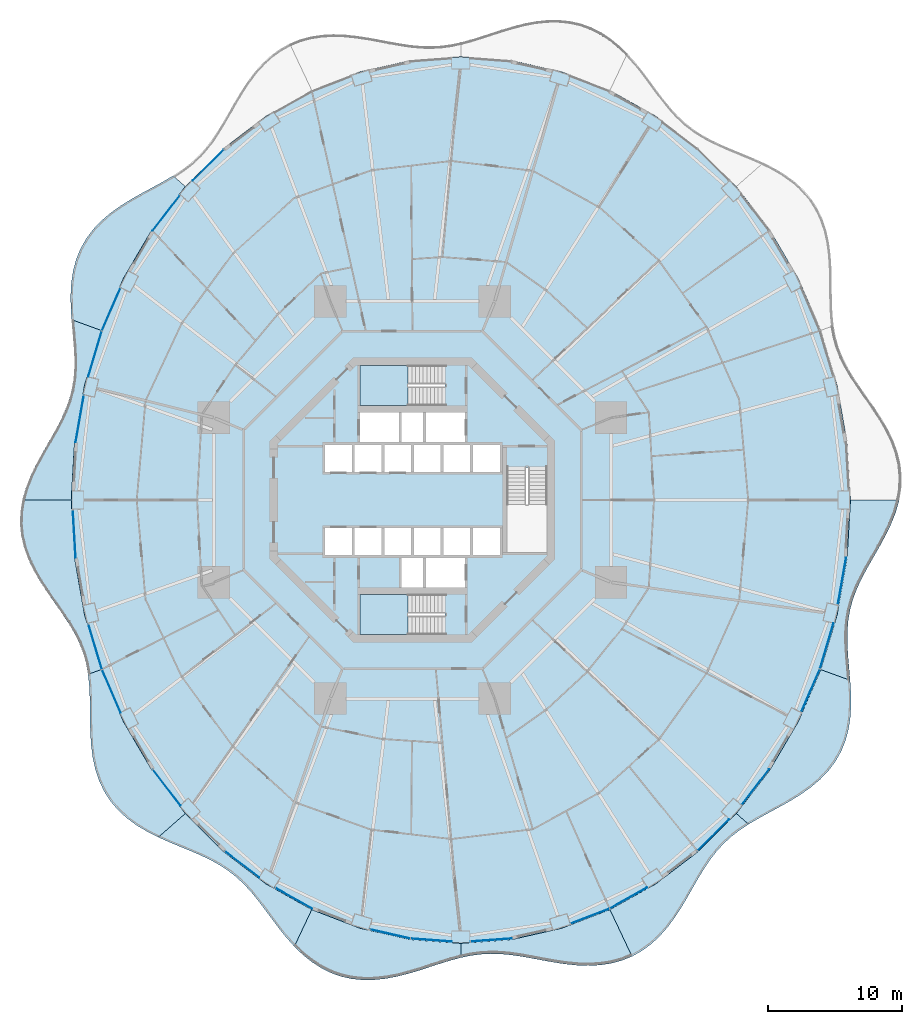
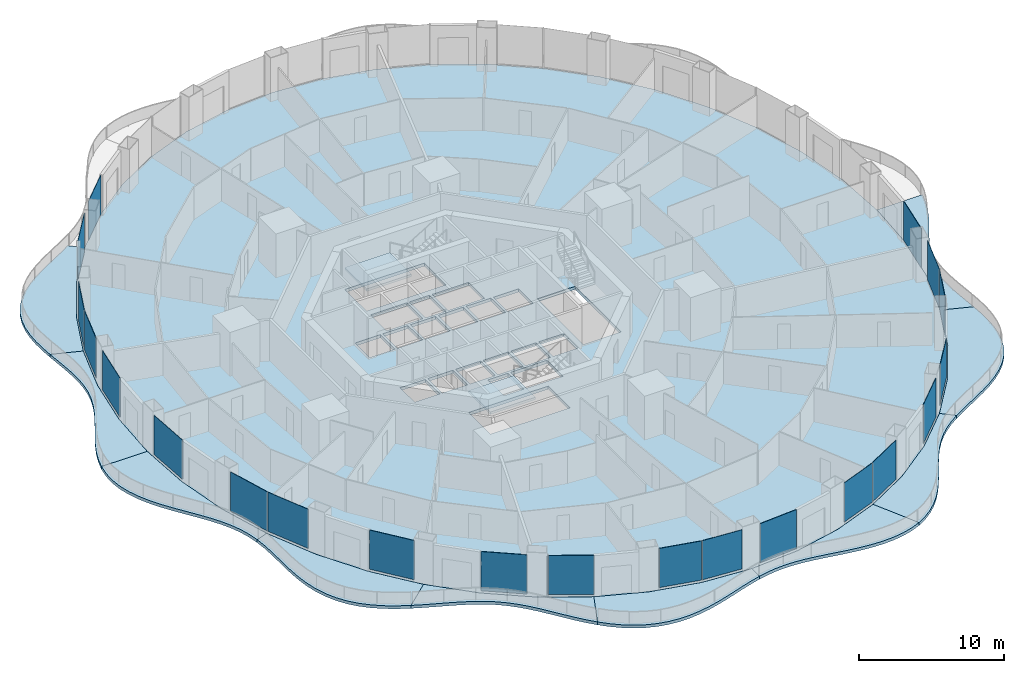
# One storey, part 12 of 22: 21 plates, 13 slabs, 23 elements without a shape of their own.
"""IFC4 building model written with IfcOpenShell, lengths in metres."""

from ifc_helpers import new_model, si_unit, direction, frame, origin, origin_2d, place, context, subcontext, project, spatial, polyline, rectangle, outline, extrude, material, layer, layer_set, type_object, element, aggregate, save


model = new_model("IFC4")

# Units and contexts
model_context = context("Model", 3, precision=1e-05, world=origin(), true_north=direction((0.0, 1.0)))
body_context = subcontext(model_context, "Body", "Model", "MODEL_VIEW")
ifc_project = project(units=[si_unit("LENGTHUNIT", "METRE"), si_unit("AREAUNIT", "SQUARE_METRE"), si_unit("VOLUMEUNIT", "CUBIC_METRE"), si_unit("PLANEANGLEUNIT", "RADIAN"), si_unit("MASSUNIT", "GRAM", prefix="KILO")], contexts=[model_context])

# Site, building, storey
site_placement = place(None, origin())
site = spatial("IfcSite", under=ifc_project, at=site_placement, CompositionType="ELEMENT")
building_placement = place(site_placement, origin())
building = spatial("IfcBuilding", under=site, at=building_placement, Name="Nagisa Residences", CompositionType="ELEMENT")
storey_placement = place(building_placement, frame((0.0, 0.0, 30.699951171875)))
storey = spatial("IfcBuildingStorey", under=building, at=storey_placement, Name="L06", CompositionType="ELEMENT", Elevation=30.699951171875)

# Slabs
ifc_material_1 = material(Name="Concrete C40/50", Category="concrete")
ifc_layer_1 = layer(ifc_material_1, 0.25)
ifc_layer_set_1 = layer_set([ifc_layer_1], Name="BALCONY SLAB 250")
slab_type_1 = type_object("IfcSlabType", Name="BALCONY SLAB 250", PredefinedType="FLOOR", material=ifc_layer_set_1)
slab_1_placement = place(storey_placement, frame((0.0, 0.0, -0.25)))
element("IfcSlab", 1, at=slab_1_placement, inside=storey, type_object=slab_type_1, Name="slab:L06:bal06", PredefinedType="FLOOR", context=body_context, shape_type="SweptSolid", body=[
    extrude(outline(polyline([(-17.815185546875, 24.13330078125), (-18.55615234375, 23.69677734375), (-19.332763671875, 23.2705078125), (-20.130126953125, 22.83935546875), (-20.929931640625, 22.38818359375), (-21.71240234375, 21.903564453125), (-22.457275390625, 21.3740234375), (-23.144775390625, 20.79150390625), (-23.757568359375, 20.15087890625), (-24.2822265625, 19.451416015625), (-24.708984375, 18.695068359375), (-25.033935546875, 17.8876953125), (-25.2587890625, 17.03759765625), (-25.390625, 16.15478515625), (-25.44189453125, 15.25048828125), (-25.429443359375, 14.336181640625), (-25.373779296875, 13.422607421875), (-23.192626953125, 12.628662109375), (-21.5146484375, 16.5), (-19.4072265625, 20.089111328125), (-16.906005859375, 23.33447265625), (-17.815185546875, 24.13330078125)])), origin(), (0.0, 0.0, 1.0), 0.25),
])
slab_2_placement = place(storey_placement, frame((0.0, 0.0, -0.25)))
element("IfcSlab", 2, at=slab_2_placement, inside=storey, type_object=slab_type_1, Name="slab:L06:bal07", PredefinedType="FLOOR", context=body_context, shape_type="SweptSolid", body=[
    extrude(outline(polyline([(-25.373779296875, 13.422607421875), (-25.29443359375, 12.490234375), (-25.2177734375, 11.576904296875), (-25.16796875, 10.6875), (-25.166015625, 9.824462890625), (-25.228515625, 8.9873046875), (-25.3671875, 8.17333984375), (-25.586181640625, 7.376708984375), (-25.883544921875, 6.591064453125), (-26.250244140625, 5.809326171875), (-26.671142578125, 5.023681640625), (-27.1259765625, 4.228271484375), (-27.5908203125, 3.417724609375), (-28.03955078125, 2.58935546875), (-28.44580078125, 1.742431640625), (-28.78515625, 0.878173828125), (-29.03564453125, 0.0), (-25.39990234375, 0.0), (-25.15185546875, 4.307373046875), (-24.411865234375, 8.541015625), (-23.192626953125, 12.628662109375), (-25.373779296875, 13.422607421875)])), origin(), (0.0, 0.0, 1.0), 0.25),
])
slab_3_placement = place(storey_placement, frame((0.0, 0.0, -0.25)))
element("IfcSlab", 3, at=slab_3_placement, inside=storey, type_object=slab_type_1, Name="slab:L06:bal08", PredefinedType="FLOOR", context=body_context, shape_type="SweptSolid", body=[
    extrude(outline(polyline([(-29.03564453125, 0.0), (-29.181396484375, -0.886474609375), (-29.211669921875, -1.775146484375), (-29.122314453125, -2.6591796875), (-28.916748046875, -3.531982421875), (-28.605224609375, -4.3876953125), (-28.203125, -5.222412109375), (-27.73193359375, -6.0341796875), (-27.215576171875, -6.822998046875), (-26.68017578125, -7.591796875), (-26.151611328125, -8.34521484375), (-25.653564453125, -9.09033203125), (-25.206787109375, -9.83544921875), (-24.82666015625, -10.588623046875), (-24.52197265625, -11.3583984375), (-24.295654296875, -12.152099609375), (-24.143798828125, -12.974853515625), (-23.192626953125, -12.628662109375), (-24.411865234375, -8.541015625), (-25.15185546875, -4.307373046875), (-25.39990234375, 0.0), (-29.03564453125, 0.0)])), origin(), (0.0, 0.0, 1.0), 0.25),
])
slab_4_placement = place(storey_placement, frame((0.0, 0.0, -0.25)))
element("IfcSlab", 4, at=slab_4_placement, inside=storey, type_object=slab_type_1, Name="slab:L06:bal09", PredefinedType="FLOOR", context=body_context, shape_type="SweptSolid", body=[
    extrude(outline(polyline([(-24.143798828125, -12.974853515625), (-24.0576171875, -13.802490234375), (-24.016845703125, -14.65966796875), (-24.00341796875, -15.54296875), (-23.99609375, -16.44677734375), (-23.97265625, -17.361572265625), (-23.911376953125, -18.27685546875), (-23.792724609375, -19.18017578125), (-23.59912109375, -20.058349609375), (-23.318359375, -20.8984375), (-22.942626953125, -21.689208984375), (-22.469482421875, -22.4208984375), (-21.90234375, -23.087158203125), (-21.249267578125, -23.685302734375), (-20.522705078125, -24.21630859375), (-19.73876953125, -24.68505859375), (-18.916259765625, -25.100830078125), (-16.906005859375, -23.33447265625), (-19.4072265625, -20.089111328125), (-21.5146484375, -16.5), (-23.192626953125, -12.628662109375), (-24.143798828125, -12.974853515625)])), origin(), (0.0, 0.0, 1.0), 0.25),
])
slab_5_placement = place(storey_placement, frame((0.0, 0.0, -0.25)))
element("IfcSlab", 5, at=slab_5_placement, inside=storey, type_object=slab_type_1, Name="slab:L06:bal10", PredefinedType="FLOOR", context=body_context, shape_type="SweptSolid", body=[
    extrude(outline(polyline([(-18.916259765625, -25.100830078125), (-18.11328125, -25.459228515625), (-17.30908203125, -25.793701171875), (-16.51806640625, -26.118408203125), (-15.753173828125, -26.448486328125), (-15.02392578125, -26.798095703125), (-14.33642578125, -27.18017578125), (-13.69287109375, -27.60498046875), (-13.09228515625, -28.080078125), (-12.529296875, -28.6083984375), (-11.99609375, -29.189697265625), (-11.482421875, -29.818603515625), (-10.976318359375, -30.48583984375), (-10.465576171875, -31.177978515625), (-9.938232421875, -31.87939453125), (-9.38330078125, -32.571044921875), (-8.7919921875, -33.23388671875), (-7.497802734375, -30.488037109375), (-10.89990234375, -28.578857421875), (-14.05419921875, -26.1806640625), (-16.906005859375, -23.33447265625), (-18.916259765625, -25.100830078125)])), origin(), (0.0, 0.0, 1.0), 0.25),
])
slab_6_placement = place(storey_placement, frame((0.0, 0.0, -0.25)))
element("IfcSlab", 6, at=slab_6_placement, inside=storey, type_object=slab_type_1, Name="slab:L06:bal11", PredefinedType="FLOOR", context=body_context, shape_type="SweptSolid", body=[
    extrude(outline(polyline([(-8.7919921875, -33.23388671875), (-8.181884765625, -33.827392578125), (-7.529052734375, -34.359619140625), (-6.8330078125, -34.816650390625), (-6.09619140625, -35.1875), (-5.32275390625, -35.464111328125), (-4.51904296875, -35.6435546875), (-3.692626953125, -35.726318359375), (-2.852294921875, -35.718505859375), (-2.00634765625, -35.62890625), (-1.16259765625, -35.47119140625), (-0.328125, -35.26123046875), (0.492431640625, -35.01708984375), (1.29541015625, -34.75732421875), (2.080078125, -34.500732421875), (2.84716796875, -34.2646484375), (3.60009765625, -34.064208984375), (3.60009765625, -33.0), (-0.185302734375, -32.7177734375), (-3.90576171875, -31.87548828125), (-7.497802734375, -30.488037109375), (-8.7919921875, -33.23388671875)])), origin(), (0.0, 0.0, 1.0), 0.25),
])
slab_7_placement = place(storey_placement, frame((0.0, 0.0, -0.25)))
element("IfcSlab", 7, at=slab_7_placement, inside=storey, type_object=slab_type_1, Name="slab:L06:bal12", PredefinedType="FLOOR", context=body_context, shape_type="SweptSolid", body=[
    extrude(outline(polyline([(3.60009765625, -34.064208984375), (4.3427734375, -33.9111328125), (5.081298828125, -33.81298828125), (5.8212890625, -33.7734375), (6.5693359375, -33.79150390625), (7.330322265625, -33.861572265625), (8.1083984375, -33.973876953125), (8.90576171875, -34.114990234375), (9.72265625, -34.26953125), (10.556884765625, -34.419189453125), (11.40478515625, -34.546142578125), (12.259521484375, -34.632080078125), (13.11376953125, -34.66064453125), (13.9580078125, -34.61767578125), (14.783203125, -34.492431640625), (15.579833984375, -34.277587890625), (16.33935546875, -33.970458984375), (14.69775390625, -30.488037109375), (11.105712890625, -31.87548828125), (7.38525390625, -32.7177734375), (3.60009765625, -33.0), (3.60009765625, -34.064208984375)])), origin(), (0.0, 0.0, 1.0), 0.25),
])
slab_8_placement = place(storey_placement, frame((0.0, 0.0, -0.25)))
element("IfcSlab", 8, at=slab_8_placement, inside=storey, type_object=slab_type_1, Name="slab:L06:bal13", PredefinedType="FLOOR", context=body_context, shape_type="SweptSolid", body=[
    extrude(outline(polyline([(16.33935546875, -33.970458984375), (17.08056640625, -33.555419921875), (17.76904296875, -33.048095703125), (18.402099609375, -32.459228515625), (18.98046875, -31.80224609375), (19.50830078125, -31.093994140625), (19.992919921875, -30.35205078125), (20.444091796875, -29.595458984375), (20.8740234375, -28.84130859375), (21.29638671875, -28.105712890625), (21.724609375, -27.402099609375), (22.172119140625, -26.740234375), (22.651123046875, -26.126220703125), (23.17041015625, -25.562255859375), (23.736572265625, -25.04638671875), (24.35205078125, -24.572998046875), (25.01513671875, -24.13330078125), (24.106201171875, -23.33447265625), (21.254150390625, -26.1806640625), (18.10009765625, -28.578857421875), (14.69775390625, -30.488037109375), (16.33935546875, -33.970458984375)])), origin(), (0.0, 0.0, 1.0), 0.25),
])
slab_9_placement = place(storey_placement, frame((0.0, 0.0, -0.25)))
element("IfcSlab", 9, at=slab_9_placement, inside=storey, type_object=slab_type_1, Name="slab:L06:bal14", PredefinedType="FLOOR", context=body_context, shape_type="SweptSolid", body=[
    extrude(outline(polyline([(25.01513671875, -24.13330078125), (25.75634765625, -23.69677734375), (26.532958984375, -23.2705078125), (27.330078125, -22.83935546875), (28.1298828125, -22.38818359375), (28.912353515625, -21.903564453125), (29.6572265625, -21.3740234375), (30.3447265625, -20.79150390625), (30.95751953125, -20.15087890625), (31.482177734375, -19.451416015625), (31.908935546875, -18.695068359375), (32.23388671875, -17.8876953125), (32.458740234375, -17.03759765625), (32.590576171875, -16.15478515625), (32.641845703125, -15.25048828125), (32.62939453125, -14.336181640625), (32.57373046875, -13.422607421875), (30.392578125, -12.628662109375), (28.71484375, -16.5), (26.607177734375, -20.089111328125), (24.106201171875, -23.33447265625), (25.01513671875, -24.13330078125)])), origin(), (0.0, 0.0, 1.0), 0.25),
])
slab_10_placement = place(storey_placement, frame((0.0, 0.0, -0.25)))
element("IfcSlab", 10, at=slab_10_placement, inside=storey, type_object=slab_type_1, Name="slab:L06:bal15", PredefinedType="FLOOR", context=body_context, shape_type="SweptSolid", body=[
    extrude(outline(polyline([(32.57373046875, -13.422607421875), (32.494384765625, -12.490234375), (32.417724609375, -11.576904296875), (32.367919921875, -10.6875), (32.365966796875, -9.824462890625), (32.4287109375, -8.9873046875), (32.567138671875, -8.17333984375), (32.7861328125, -7.376708984375), (33.08349609375, -6.591064453125), (33.4501953125, -5.809326171875), (33.87109375, -5.023681640625), (34.325927734375, -4.228271484375), (34.790771484375, -3.417724609375), (35.239501953125, -2.58935546875), (35.645751953125, -1.742431640625), (35.985107421875, -0.878173828125), (36.23583984375, 0.0), (32.60009765625, 0.0), (32.351806640625, -4.307373046875), (31.61181640625, -8.541015625), (30.392578125, -12.628662109375), (32.57373046875, -13.422607421875)])), origin(), (0.0, 0.0, 1.0), 0.25),
])

# Curtain wall, plate
ifc_material_2 = material(Name="Concrete-coloured aluminium curtain wall system", Category="concrete")
ifc_layer_2 = layer(ifc_material_2, 0.159912109375)
ifc_layer_set_2 = layer_set([ifc_layer_2], Name="CW1 CURTAIN WALL")
curtain_wall_type = type_object("IfcCurtainWallType", Name="CW1 CURTAIN WALL", PredefinedType="NOTDEFINED", material=ifc_layer_set_2)
curtain_wall_1_placement = place(storey_placement, origin())
curtain_wall_1 = element("IfcCurtainWall", 11, at=curtain_wall_1_placement, inside=storey, type_object=curtain_wall_type, Name="cw:CW1:L06:17", PredefinedType="NOTDEFINED")
ifc_material_3 = material(Name="Clear laminated glass", Category="glass")
ifc_layer_3 = layer(ifc_material_3, 0.028076171875)
ifc_layer_set_3 = layer_set([ifc_layer_3], Name="CW1 GLASS PANEL")
plate_type = type_object("IfcPlateType", Name="CW1 GLASS PANEL", PredefinedType="CURTAIN_PANEL", material=ifc_layer_set_3)
plate_1_placement = place(storey_placement, frame((-15.197021484375, 24.927001953125, 0.150146484375), z_axis=(0.0, 0.0, 1.0), x_axis=(-0.707835924016, -0.706376885714, 0.0)))
plate_1 = element("IfcPlate", 12, at=plate_1_placement, type_object=plate_type, Name="CW1 panel", PredefinedType="CURTAIN_PANEL", context=body_context, shape_type="SweptSolid", body=[
    extrude(rectangle(XDim=3.269287109375, YDim=0.028076171875, at=origin_2d()), origin(), (0.0, 0.0, 1.0), 3.2900390625),
])
aggregate(curtain_wall_1, [plate_1])

curtain_wall_2_placement = place(storey_placement, origin())
curtain_wall_2 = element("IfcCurtainWall", 13, at=curtain_wall_2_placement, inside=storey, type_object=curtain_wall_type, Name="cw:CW1:L06:18", PredefinedType="NOTDEFINED")
plate_2_placement = place(storey_placement, frame((-18.3251953125, 21.362060546875, 0.150146484375), z_axis=(0.0, 0.0, 1.0), x_axis=(-0.610429828235, -0.792070340816, 0.0)))
plate_2 = element("IfcPlate", 14, at=plate_2_placement, type_object=plate_type, Name="CW1 panel", PredefinedType="CURTAIN_PANEL", context=body_context, shape_type="SweptSolid", body=[
    extrude(rectangle(XDim=3.33740234375, YDim=0.028076171875, at=origin_2d()), origin(), (0.0, 0.0, 1.0), 3.2900390625),
])
aggregate(curtain_wall_2, [plate_2])

curtain_wall_3_placement = place(storey_placement, origin())
curtain_wall_3 = element("IfcCurtainWall", 15, at=curtain_wall_3_placement, inside=storey, type_object=curtain_wall_type, Name="cw:CW1:L06:20", PredefinedType="NOTDEFINED")
plate_3_placement = place(storey_placement, frame((-22.431396484375, 14.183837890625, 0.150146484375), z_axis=(0.0, 0.0, 1.0), x_axis=(-0.397635934147, -0.917543276295, 0.0)))
plate_3 = element("IfcPlate", 16, at=plate_3_placement, type_object=plate_type, Name="CW1 panel", PredefinedType="CURTAIN_PANEL", context=body_context, shape_type="SweptSolid", body=[
    extrude(rectangle(XDim=3.45947265625, YDim=0.028076171875, at=origin_2d()), origin(), (0.0, 0.0, 1.0), 3.2900390625),
])
aggregate(curtain_wall_3, [plate_3])

curtain_wall_4_placement = place(storey_placement, origin())
curtain_wall_4 = element("IfcCurtainWall", 17, at=curtain_wall_4_placement, inside=storey, type_object=curtain_wall_type, Name="cw:CW1:L06:21", PredefinedType="NOTDEFINED")
plate_4_placement = place(storey_placement, frame((-23.634033203125, 10.86865234375, 0.150146484375), z_axis=(0.0, 0.0, 1.0), x_axis=(-0.285860274038, -0.958271310082, 0.0)))
plate_4 = element("IfcPlate", 18, at=plate_4_placement, type_object=plate_type, Name="CW1 panel", PredefinedType="CURTAIN_PANEL", context=body_context, shape_type="SweptSolid", body=[
    extrude(rectangle(XDim=3.505615234375, YDim=0.028076171875, at=origin_2d()), origin(), (0.0, 0.0, 1.0), 3.2900390625),
])
aggregate(curtain_wall_4, [plate_4])

curtain_wall_5_placement = place(storey_placement, origin())
curtain_wall_5 = element("IfcCurtainWall", 19, at=curtain_wall_5_placement, inside=storey, type_object=curtain_wall_type, Name="cw:CW1:L06:22", PredefinedType="NOTDEFINED")
plate_5_placement = place(storey_placement, frame((-24.7685546875, 6.0361328125, 0.150146484375), z_axis=(0.0, 0.0, 1.0), x_axis=(-0.172190868898, -0.985063604377, 0.0)))
plate_5 = element("IfcPlate", 20, at=plate_5_placement, type_object=plate_type, Name="CW1 panel", PredefinedType="CURTAIN_PANEL", context=body_context, shape_type="SweptSolid", body=[
    extrude(rectangle(XDim=3.537841796875, YDim=0.028076171875, at=origin_2d()), origin(), (0.0, 0.0, 1.0), 3.2900390625),
])
aggregate(curtain_wall_5, [plate_5])

curtain_wall_6_placement = place(storey_placement, origin())
curtain_wall_6 = element("IfcCurtainWall", 21, at=curtain_wall_6_placement, inside=storey, type_object=curtain_wall_type, Name="cw:CW1:L06:24", PredefinedType="NOTDEFINED")
plate_6_placement = place(storey_placement, frame((-25.17431640625, -2.528564453125, 0.150146484375), z_axis=(0.0, 0.0, 1.0), x_axis=(0.057503492216, -0.998345305184, 0.0)))
plate_6 = element("IfcPlate", 22, at=plate_6_placement, type_object=plate_type, Name="CW1 panel", PredefinedType="CURTAIN_PANEL", context=body_context, shape_type="SweptSolid", body=[
    extrude(rectangle(XDim=3.554443359375, YDim=0.028076171875, at=origin_2d()), origin(), (0.0, 0.0, 1.0), 3.2900390625),
])
aggregate(curtain_wall_6, [plate_6])

curtain_wall_7_placement = place(storey_placement, origin())
curtain_wall_7 = element("IfcCurtainWall", 23, at=curtain_wall_7_placement, inside=storey, type_object=curtain_wall_type, Name="cw:CW1:L06:26", PredefinedType="NOTDEFINED")
plate_7_placement = place(storey_placement, frame((-23.616943359375, -10.926025390625, 0.150146484375), z_axis=(0.0, 0.0, 1.0), x_axis=(0.285860274038, -0.958271310082, 0.0)))
plate_7 = element("IfcPlate", 24, at=plate_7_placement, type_object=plate_type, Name="CW1 panel", PredefinedType="CURTAIN_PANEL", context=body_context, shape_type="SweptSolid", body=[
    extrude(rectangle(XDim=3.505615234375, YDim=0.028076171875, at=origin_2d()), origin(), (0.0, 0.0, 1.0), 3.2900390625),
])
aggregate(curtain_wall_7, [plate_7])

curtain_wall_8_placement = place(storey_placement, origin())
curtain_wall_8 = element("IfcCurtainWall", 25, at=curtain_wall_8_placement, inside=storey, type_object=curtain_wall_type, Name="cw:CW1:L06:27", PredefinedType="NOTDEFINED")
plate_8_placement = place(storey_placement, frame((-22.407470703125, -14.23876953125, 0.150146484375), z_axis=(0.0, 0.0, 1.0), x_axis=(0.397635934147, -0.917543276295, 0.0)))
plate_8 = element("IfcPlate", 26, at=plate_8_placement, type_object=plate_type, Name="CW1 panel", PredefinedType="CURTAIN_PANEL", context=body_context, shape_type="SweptSolid", body=[
    extrude(rectangle(XDim=3.45947265625, YDim=0.028076171875, at=origin_2d()), origin(), (0.0, 0.0, 1.0), 3.2900390625),
])
aggregate(curtain_wall_8, [plate_8])

curtain_wall_9_placement = place(storey_placement, origin())
curtain_wall_9 = element("IfcCurtainWall", 27, at=curtain_wall_9_placement, inside=storey, type_object=curtain_wall_type, Name="cw:CW1:L06:29", PredefinedType="NOTDEFINED")
plate_9_placement = place(storey_placement, frame((-18.28857421875, -21.409423828125, 0.150146484375), z_axis=(0.0, 0.0, 1.0), x_axis=(0.610429828235, -0.792070340816, 0.0)))
plate_9 = element("IfcPlate", 28, at=plate_9_placement, type_object=plate_type, Name="CW1 panel", PredefinedType="CURTAIN_PANEL", context=body_context, shape_type="SweptSolid", body=[
    extrude(rectangle(XDim=3.33740234375, YDim=0.028076171875, at=origin_2d()), origin(), (0.0, 0.0, 1.0), 3.2900390625),
])
aggregate(curtain_wall_9, [plate_9])

curtain_wall_10_placement = place(storey_placement, origin())
curtain_wall_10 = element("IfcCurtainWall", 29, at=curtain_wall_10_placement, inside=storey, type_object=curtain_wall_type, Name="cw:CW1:L06:31", PredefinedType="NOTDEFINED")
plate_10_placement = place(storey_placement, frame((-12.683349609375, -27.122314453125, 0.150146484375), z_axis=(0.0, 0.0, 1.0), x_axis=(0.79603132756, -0.605255421737, 0.0)))
plate_10 = element("IfcPlate", 30, at=plate_10_placement, type_object=plate_type, Name="CW1 panel", PredefinedType="CURTAIN_PANEL", context=body_context, shape_type="SweptSolid", body=[
    extrude(rectangle(XDim=3.2021484375, YDim=0.028076171875, at=origin_2d()), origin(), (0.0, 0.0, 1.0), 3.2900390625),
])
aggregate(curtain_wall_10, [plate_10])

curtain_wall_11_placement = place(storey_placement, origin())
curtain_wall_11 = element("IfcCurtainWall", 31, at=curtain_wall_11_placement, inside=storey, type_object=curtain_wall_type, Name="cw:CW1:L06:32", PredefinedType="NOTDEFINED")
plate_11_placement = place(storey_placement, frame((-8.828369140625, -29.649658203125, 0.150146484375), z_axis=(0.0, 0.0, 1.0), x_axis=(0.872072377523, -0.489376918501, 0.0)))
plate_11 = element("IfcPlate", 32, at=plate_11_placement, type_object=plate_type, Name="CW1 panel", PredefinedType="CURTAIN_PANEL", context=body_context, shape_type="SweptSolid", body=[
    extrude(rectangle(XDim=3.141357421875, YDim=0.028076171875, at=origin_2d()), origin(), (0.0, 0.0, 1.0), 3.2900390625),
])
aggregate(curtain_wall_11, [plate_11])

curtain_wall_12_placement = place(storey_placement, origin())
curtain_wall_12 = element("IfcCurtainWall", 33, at=curtain_wall_12_placement, inside=storey, type_object=curtain_wall_type, Name="cw:CW1:L06:34", PredefinedType="NOTDEFINED")
plate_12_placement = place(storey_placement, frame((-1.6572265625, -32.302490234375, 0.150146484375), z_axis=(0.0, 0.0, 1.0), x_axis=(0.975327274089, -0.2207639201, 0.0)))
plate_12 = element("IfcPlate", 34, at=plate_12_placement, type_object=plate_type, Name="CW1 panel", PredefinedType="CURTAIN_PANEL", context=body_context, shape_type="SweptSolid", body=[
    extrude(rectangle(XDim=3.0546875, YDim=0.028076171875, at=origin_2d()), origin(), (0.0, 0.0, 1.0), 3.2900390625),
])
aggregate(curtain_wall_12, [plate_12])

curtain_wall_13_placement = place(storey_placement, origin())
curtain_wall_13 = element("IfcCurtainWall", 35, at=curtain_wall_13_placement, inside=storey, type_object=curtain_wall_type, Name="cw:CW1:L06:35", PredefinedType="NOTDEFINED")
plate_13_placement = place(storey_placement, frame((1.394287109375, -32.75537109375, 0.150146484375), z_axis=(0.0, 0.0, 1.0), x_axis=(0.997230168512, -0.074377355493, 0.0)))
plate_13 = element("IfcPlate", 36, at=plate_13_placement, type_object=plate_type, Name="CW1 panel", PredefinedType="CURTAIN_PANEL", context=body_context, shape_type="SweptSolid", body=[
    extrude(rectangle(XDim=3.035888671875, YDim=0.028076171875, at=origin_2d()), origin(), (0.0, 0.0, 1.0), 3.2900390625),
])
aggregate(curtain_wall_13, [plate_13])

curtain_wall_14_placement = place(storey_placement, origin())
curtain_wall_14 = element("IfcCurtainWall", 37, at=curtain_wall_14_placement, inside=storey, type_object=curtain_wall_type, Name="cw:CW1:L06:36", PredefinedType="NOTDEFINED")
plate_14_placement = place(storey_placement, frame((5.86572265625, -32.750732421875, 0.150146484375), z_axis=(0.0, 0.0, 1.0), x_axis=(0.997230168512, 0.074377355493, 0.0)))
plate_14 = element("IfcPlate", 38, at=plate_14_placement, type_object=plate_type, Name="CW1 panel", PredefinedType="CURTAIN_PANEL", context=body_context, shape_type="SweptSolid", body=[
    extrude(rectangle(XDim=3.035888671875, YDim=0.028076171875, at=origin_2d()), origin(), (0.0, 0.0, 1.0), 3.2900390625),
])
aggregate(curtain_wall_14, [plate_14])

curtain_wall_15_placement = place(storey_placement, origin())
curtain_wall_15 = element("IfcCurtainWall", 39, at=curtain_wall_15_placement, inside=storey, type_object=curtain_wall_type, Name="cw:CW1:L06:38", PredefinedType="NOTDEFINED")
plate_15_placement = place(storey_placement, frame((13.2275390625, -30.97021484375, 0.150146484375), z_axis=(0.0, 0.0, 1.0), x_axis=(0.932825759707, 0.360327770268, 0.0)))
plate_15 = element("IfcPlate", 40, at=plate_15_placement, type_object=plate_type, Name="CW1 panel", PredefinedType="CURTAIN_PANEL", context=body_context, shape_type="SweptSolid", body=[
    extrude(rectangle(XDim=3.0908203125, YDim=0.028076171875, at=origin_2d()), origin(), (0.0, 0.0, 1.0), 3.2900390625),
])
aggregate(curtain_wall_15, [plate_15])

curtain_wall_16_placement = place(storey_placement, origin())
curtain_wall_16 = element("IfcCurtainWall", 41, at=curtain_wall_16_placement, inside=storey, type_object=curtain_wall_type, Name="cw:CW1:L06:39", PredefinedType="NOTDEFINED")
plate_16_placement = place(storey_placement, frame((16.080810546875, -29.620361328125, 0.150146484375), z_axis=(0.0, 0.0, 1.0), x_axis=(0.872072377523, 0.489376918501, 0.0)))
plate_16 = element("IfcPlate", 42, at=plate_16_placement, type_object=plate_type, Name="CW1 panel", PredefinedType="CURTAIN_PANEL", context=body_context, shape_type="SweptSolid", body=[
    extrude(rectangle(XDim=3.141357421875, YDim=0.028076171875, at=origin_2d()), origin(), (0.0, 0.0, 1.0), 3.2900390625),
])
aggregate(curtain_wall_16, [plate_16])

curtain_wall_17_placement = place(storey_placement, origin())
curtain_wall_17 = element("IfcCurtainWall", 43, at=curtain_wall_17_placement, inside=storey, type_object=curtain_wall_type, Name="cw:CW1:L06:41", PredefinedType="NOTDEFINED")
plate_17_placement = place(storey_placement, frame((22.39697265625, -24.927001953125, 0.150146484375), z_axis=(0.0, 0.0, 1.0), x_axis=(0.707835924016, 0.706376885714, 0.0)))
plate_17 = element("IfcPlate", 44, at=plate_17_placement, type_object=plate_type, Name="CW1 panel", PredefinedType="CURTAIN_PANEL", context=body_context, shape_type="SweptSolid", body=[
    extrude(rectangle(XDim=3.269287109375, YDim=0.028076171875, at=origin_2d()), origin(), (0.0, 0.0, 1.0), 3.2900390625),
])
aggregate(curtain_wall_17, [plate_17])

curtain_wall_18_placement = place(storey_placement, origin())
curtain_wall_18 = element("IfcCurtainWall", 45, at=curtain_wall_18_placement, inside=storey, type_object=curtain_wall_type, Name="cw:CW1:L06:42", PredefinedType="NOTDEFINED")
plate_18_placement = place(storey_placement, frame((25.525390625, -21.362060546875, 0.150146484375), z_axis=(0.0, 0.0, 1.0), x_axis=(0.610429828235, 0.792070340816, 0.0)))
plate_18 = element("IfcPlate", 46, at=plate_18_placement, type_object=plate_type, Name="CW1 panel", PredefinedType="CURTAIN_PANEL", context=body_context, shape_type="SweptSolid", body=[
    extrude(rectangle(XDim=3.33740234375, YDim=0.028076171875, at=origin_2d()), origin(), (0.0, 0.0, 1.0), 3.2900390625),
])
aggregate(curtain_wall_18, [plate_18])

curtain_wall_19_placement = place(storey_placement, origin())
curtain_wall_19 = element("IfcCurtainWall", 47, at=curtain_wall_19_placement, inside=storey, type_object=curtain_wall_type, Name="cw:CW1:L06:44", PredefinedType="NOTDEFINED")
plate_19_placement = place(storey_placement, frame((29.63134765625, -14.183837890625, 0.150146484375), z_axis=(0.0, 0.0, 1.0), x_axis=(0.397635934147, 0.917543276295, 0.0)))
plate_19 = element("IfcPlate", 48, at=plate_19_placement, type_object=plate_type, Name="CW1 panel", PredefinedType="CURTAIN_PANEL", context=body_context, shape_type="SweptSolid", body=[
    extrude(rectangle(XDim=3.45947265625, YDim=0.028076171875, at=origin_2d()), origin(), (0.0, 0.0, 1.0), 3.2900390625),
])
aggregate(curtain_wall_19, [plate_19])

curtain_wall_20_placement = place(storey_placement, origin())
curtain_wall_20 = element("IfcCurtainWall", 49, at=curtain_wall_20_placement, inside=storey, type_object=curtain_wall_type, Name="cw:CW1:L06:45", PredefinedType="NOTDEFINED")
plate_20_placement = place(storey_placement, frame((30.833984375, -10.86865234375, 0.150146484375), z_axis=(0.0, 0.0, 1.0), x_axis=(0.285860274038, 0.958271310082, 0.0)))
plate_20 = element("IfcPlate", 50, at=plate_20_placement, type_object=plate_type, Name="CW1 panel", PredefinedType="CURTAIN_PANEL", context=body_context, shape_type="SweptSolid", body=[
    extrude(rectangle(XDim=3.505615234375, YDim=0.028076171875, at=origin_2d()), origin(), (0.0, 0.0, 1.0), 3.2900390625),
])
aggregate(curtain_wall_20, [plate_20])

curtain_wall_21_placement = place(storey_placement, origin())
curtain_wall_21 = element("IfcCurtainWall", 51, at=curtain_wall_21_placement, inside=storey, type_object=curtain_wall_type, Name="cw:CW1:L06:46", PredefinedType="NOTDEFINED")
plate_21_placement = place(storey_placement, frame((31.968505859375, -6.0361328125, 0.150146484375), z_axis=(0.0, 0.0, 1.0), x_axis=(0.172190868898, 0.985063604377, 0.0)))
plate_21 = element("IfcPlate", 52, at=plate_21_placement, type_object=plate_type, Name="CW1 panel", PredefinedType="CURTAIN_PANEL", context=body_context, shape_type="SweptSolid", body=[
    extrude(rectangle(XDim=3.537841796875, YDim=0.028076171875, at=origin_2d()), origin(), (0.0, 0.0, 1.0), 3.2900390625),
])
aggregate(curtain_wall_21, [plate_21])

# Slab
ifc_material_4 = material(Name="Concrete C40", Category="concrete")
ifc_layer_4 = layer(ifc_material_4, 0.260009765625)
ifc_layer_set_4 = layer_set([ifc_layer_4], Name="Floor slab 260")
slab_type_2 = type_object("IfcSlabType", Name="Floor slab 260", PredefinedType="FLOOR", material=ifc_layer_set_4)
slab_11_placement = place(storey_placement, frame((0.0, 0.0, -0.260009765625)))
element("IfcSlab", 53, at=slab_11_placement, inside=storey, type_object=slab_type_2, Name="slab:L06:floor", PredefinedType="FLOOR", context=body_context, shape_type="SweptSolid", body=[
    extrude(outline(polyline([(32.60009765625, 0.0), (32.351806640625, 4.307373046875), (31.61181640625, 8.541015625), (30.392578125, 12.628662109375), (28.71484375, 16.5), (26.607177734375, 20.089111328125), (24.106201171875, 23.33447265625), (21.254150390625, 26.1806640625), (18.10009765625, 28.578857421875), (14.69775390625, 30.488037109375), (11.105712890625, 31.87548828125), (7.38525390625, 32.7177734375), (3.60009765625, 33.0), (-0.185302734375, 32.7177734375), (-3.90576171875, 31.87548828125), (-7.497802734375, 30.488037109375), (-10.89990234375, 28.578857421875), (-14.05419921875, 26.1806640625), (-16.906005859375, 23.33447265625), (-19.4072265625, 20.089111328125), (-21.5146484375, 16.5), (-23.192626953125, 12.628662109375), (-24.411865234375, 8.541015625), (-25.15185546875, 4.307373046875), (-25.39990234375, 0.0), (-25.15185546875, -4.307373046875), (-24.411865234375, -8.541015625), (-23.192626953125, -12.628662109375), (-21.5146484375, -16.5), (-19.4072265625, -20.089111328125), (-16.906005859375, -23.33447265625), (-14.05419921875, -26.1806640625), (-10.89990234375, -28.578857421875), (-7.497802734375, -30.488037109375), (-3.90576171875, -31.87548828125), (-0.185302734375, -32.7177734375), (3.60009765625, -33.0), (7.38525390625, -32.7177734375), (11.105712890625, -31.87548828125), (14.69775390625, -30.488037109375), (18.10009765625, -28.578857421875), (21.254150390625, -26.1806640625), (24.106201171875, -23.33447265625), (26.607177734375, -20.089111328125), (28.71484375, -16.5), (30.392578125, -12.628662109375), (31.61181640625, -8.541015625), (32.351806640625, -4.307373046875), (32.60009765625, 0.0)]), holes=[polyline([(-4.5, 2.10009765625), (-4.5, 4.10009765625), (-6.5, 4.10009765625), (-6.5, 2.10009765625), (-4.5, 2.10009765625)]), polyline([(-2.300048828125, 2.10009765625), (-2.300048828125, 4.10009765625), (-4.300048828125, 4.10009765625), (-4.300048828125, 2.10009765625), (-2.300048828125, 2.10009765625)]), polyline([(-0.10009765625, 2.10009765625), (-0.10009765625, 4.10009765625), (-2.10009765625, 4.10009765625), (-2.10009765625, 2.10009765625), (-0.10009765625, 2.10009765625)]), polyline([(2.10009765625, 2.10009765625), (2.10009765625, 4.10009765625), (0.10009765625, 4.10009765625), (0.10009765625, 2.10009765625), (2.10009765625, 2.10009765625)]), polyline([(4.300048828125, 2.10009765625), (4.300048828125, 4.10009765625), (2.300048828125, 4.10009765625), (2.300048828125, 2.10009765625), (4.300048828125, 2.10009765625)]), polyline([(6.5, 2.10009765625), (6.5, 4.10009765625), (4.5, 4.10009765625), (4.5, 2.10009765625), (6.5, 2.10009765625)]), polyline([(-4.5, -4.10009765625), (-4.5, -2.10009765625), (-6.5, -2.10009765625), (-6.5, -4.10009765625), (-4.5, -4.10009765625)]), polyline([(-2.300048828125, -4.10009765625), (-2.300048828125, -2.10009765625), (-4.300048828125, -2.10009765625), (-4.300048828125, -4.10009765625), (-2.300048828125, -4.10009765625)]), polyline([(-0.10009765625, -4.10009765625), (-0.10009765625, -2.10009765625), (-2.10009765625, -2.10009765625), (-2.10009765625, -4.10009765625), (-0.10009765625, -4.10009765625)]), polyline([(2.10009765625, -4.10009765625), (2.10009765625, -2.10009765625), (0.10009765625, -2.10009765625), (0.10009765625, -4.10009765625), (2.10009765625, -4.10009765625)]), polyline([(4.300048828125, -4.10009765625), (4.300048828125, -2.10009765625), (2.300048828125, -2.10009765625), (2.300048828125, -4.10009765625), (4.300048828125, -4.10009765625)]), polyline([(6.5, -4.10009765625), (6.5, -2.10009765625), (4.5, -2.10009765625), (4.5, -4.10009765625), (6.5, -4.10009765625)]), polyline([(3.89990234375, 4.300048828125), (3.89990234375, 6.5), (1.0, 6.5), (1.0, 4.300048828125), (3.89990234375, 4.300048828125)]), polyline([(3.89990234375, -6.5), (3.89990234375, -4.300048828125), (1.0, -4.300048828125), (1.0, -6.5), (3.89990234375, -6.5)]), polyline([(-1.0, 4.300048828125), (-1.0, 6.5), (-3.89990234375, 6.5), (-3.89990234375, 4.300048828125), (-1.0, 4.300048828125)]), polyline([(0.800048828125, 4.300048828125), (0.800048828125, 6.5), (-0.800048828125, 6.5), (-0.800048828125, 4.300048828125), (0.800048828125, 4.300048828125)]), polyline([(0.800048828125, -6.5), (0.800048828125, -4.300048828125), (-0.800048828125, -4.300048828125), (-0.800048828125, -6.5), (0.800048828125, -6.5)]), polyline([(10.024658203125, -3.89990234375), (7.024658203125, -3.89990234375), (7.024658203125, 2.425048828125), (10.024658203125, 2.425048828125), (10.024658203125, -3.89990234375)]), polyline([(-3.89990234375, 7.024658203125), (-3.89990234375, 10.024658203125), (2.425048828125, 10.024658203125), (2.425048828125, 7.024658203125), (-3.89990234375, 7.024658203125)]), polyline([(-3.89990234375, -10.024658203125), (-3.89990234375, -7.024658203125), (2.425048828125, -7.024658203125), (2.425048828125, -10.024658203125), (-3.89990234375, -10.024658203125)])]), origin(), (0.0, 0.0, 1.0), 0.260009765625),
])

# Stair, slab
ifc_material_5 = material(Name="Concrete C60", Category="concrete")
stair_type = type_object("IfcStairType", Name="Exit stair", PredefinedType="HALF_TURN_STAIR", material=ifc_material_5)
stair_1_placement = place(storey_placement, origin())
stair_1 = element("IfcStair", 54, at=stair_1_placement, inside=storey, type_object=stair_type, Name="L06 Exit stair N", PredefinedType="HALF_TURN_STAIR")
ifc_material_6 = material(Name="Concrete C60", Category="concrete")
ifc_layer_5 = layer(ifc_material_6, 0.199951171875)
ifc_layer_set_5 = layer_set([ifc_layer_5], Name="Stair landing")
slab_type_3 = type_object("IfcSlabType", Name="Stair landing", PredefinedType="LANDING", material=ifc_layer_set_5)
slab_12_placement = place(storey_placement, frame((0.0, 0.0, 1.650146484375)))
slab_12 = element("IfcSlab", 55, at=slab_12_placement, type_object=slab_type_3, Name="ST-N landing 1", PredefinedType="LANDING", context=body_context, shape_type="SweptSolid", body=[
    extrude(outline(polyline([(-0.324951171875, 10.024658203125), (-3.89990234375, 10.024658203125), (-3.89990234375, 7.024658203125), (-0.324951171875, 7.024658203125), (-0.324951171875, 10.024658203125)])), origin(), (0.0, 0.0, 1.0), 0.199951171875),
])
aggregate(stair_1, [slab_12])

stair_2_placement = place(storey_placement, origin())
stair_2 = element("IfcStair", 56, at=stair_2_placement, inside=storey, type_object=stair_type, Name="L06 Exit stair S", PredefinedType="HALF_TURN_STAIR")
slab_13_placement = place(storey_placement, frame((0.0, 0.0, 1.650146484375)))
slab_13 = element("IfcSlab", 57, at=slab_13_placement, type_object=slab_type_3, Name="ST-S landing 1", PredefinedType="LANDING", context=body_context, shape_type="SweptSolid", body=[
    extrude(outline(polyline([(-0.324951171875, -7.024658203125), (-3.89990234375, -7.024658203125), (-3.89990234375, -10.024658203125), (-0.324951171875, -10.024658203125), (-0.324951171875, -7.024658203125)])), origin(), (0.0, 0.0, 1.0), 0.199951171875),
])
aggregate(stair_2, [slab_13])

save(model, "model.ifc")
